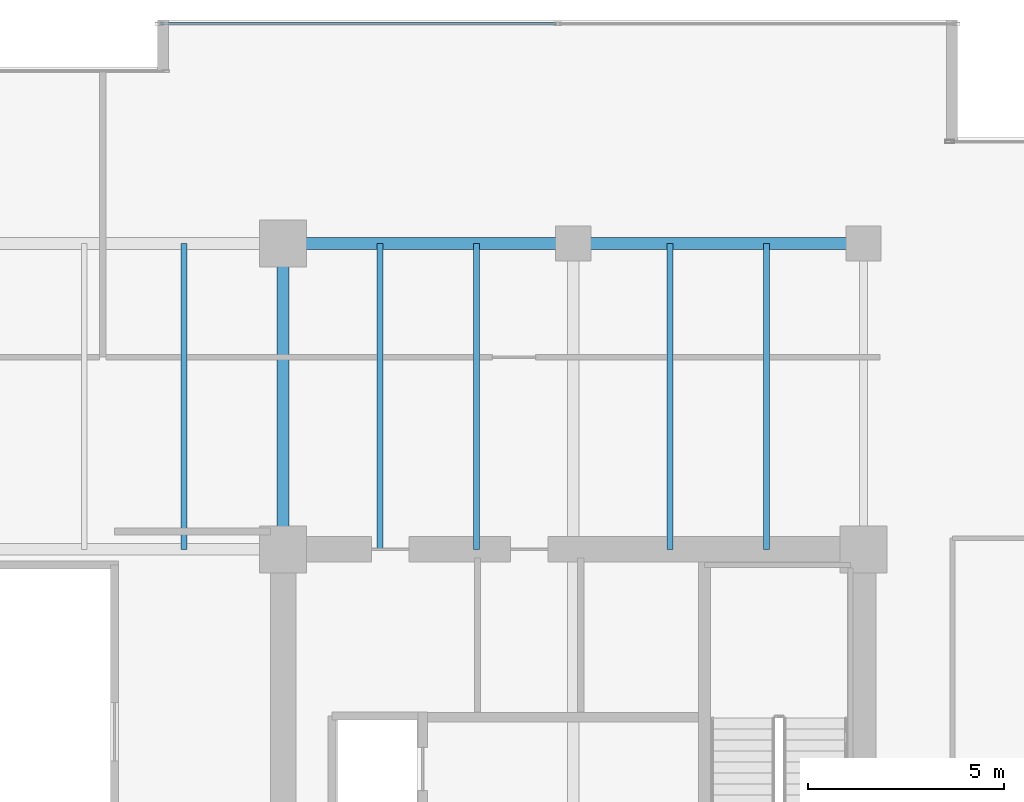
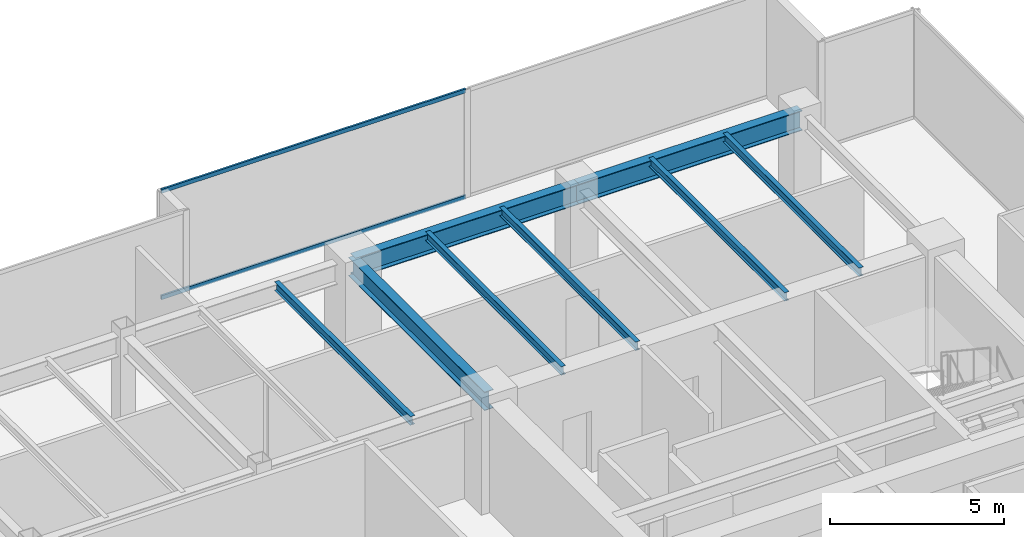
# One storey, part 19 of 30: 8 beams, 2 members, 1 element without a shape of its own.
"""IFC4 building model written with IfcOpenShell, lengths in metres."""

from ifc_helpers import new_model, si_unit, direction, frame, origin, origin_2d, place, context, subcontext, project, spatial, hollow_rectangle, i_section, extrude, source, transform, mapped, material, layer, layer_set, material_profile, profile_set, type_object, type_shapes, element, aggregate, save


model = new_model("IFC4")

# Units and contexts
model_context = context("Model", 3, precision=1e-05, world=origin(), true_north=direction((0.0, 1.0)))
body_context = subcontext(model_context, "Body", "Model", "MODEL_VIEW")
ifc_project = project(units=[si_unit("LENGTHUNIT", "METRE"), si_unit("AREAUNIT", "SQUARE_METRE"), si_unit("VOLUMEUNIT", "CUBIC_METRE"), si_unit("PLANEANGLEUNIT", "RADIAN"), si_unit("MASSUNIT", "GRAM", prefix="KILO")], contexts=[model_context])

# Site, building, storey
site_placement = place(None, origin())
site = spatial("IfcSite", under=ifc_project, at=site_placement, CompositionType="ELEMENT")
building_placement = place(site_placement, origin())
building = spatial("IfcBuilding", under=site, at=building_placement, Name="Haelvirn Gate Laboratories", CompositionType="ELEMENT")
storey_placement = place(building_placement, frame((0.0, 0.0, 125.60009765625)))
storey = spatial("IfcBuildingStorey", under=building, at=storey_placement, Name="L30", CompositionType="ELEMENT", Elevation=125.60009765625)

# Beams
ifc_material_1 = material(Name="Steel SM355", Category="steel")
ifc_material_profile_1 = material_profile(ifc_material_1, i_section(OverallWidth=0.300048828125, OverallDepth=0.64990234375, WebThickness=0.012939453125, FlangeThickness=0.02197265625, at=origin_2d()), Name="H-650x300x13x22")
ifc_profile_set_1 = profile_set([ifc_material_profile_1], Name="Steel SM355")
beam_type_1 = type_object("IfcBeamType", Name="BM-G-650", PredefinedType="BEAM", material=ifc_profile_set_1)
shared_shape_1 = source(origin(), body_context, "Body", "SweptSolid", [
    extrude(i_section(OverallWidth=0.300048828125, OverallDepth=0.64990234375, WebThickness=0.012939453125, FlangeThickness=0.02197265625, at=origin_2d()), origin(), (0.0, 0.0, 1.0), 7.800048828125),
])
type_shapes(beam_type_1, [shared_shape_1])
beam_placement = place(storey_placement, frame((52.60009765625, 33.800048828125, 3.46484375), z_axis=(0.0, 1.0, 0.0), x_axis=(-1.0, 0.0, 0.0)))
element("IfcBeam", 1, at=beam_placement, inside=storey, type_object=beam_type_1, Name="L30 Frame Girder X52.6 (33.8-41.6)", PredefinedType="BEAM", context=body_context, shape_type="MappedRepresentation", body=[
    mapped(shared_shape_1, transform((0.0, 0.0, 0.0), scale=1.0)),
])
ifc_material_profile_2 = material_profile(ifc_material_1, i_section(OverallWidth=0.300048828125, OverallDepth=0.699951171875, WebThickness=0.012939453125, FlangeThickness=0.02392578125, at=origin_2d()), Name="H-700x300x13x24")
ifc_profile_set_2 = profile_set([ifc_material_profile_2], Name="Steel SM355")
beam_type_2 = type_object("IfcBeamType", Name="BM-G-700", PredefinedType="BEAM", material=ifc_profile_set_2)
shared_shape_2 = source(origin(), body_context, "Body", "SweptSolid", [
    extrude(i_section(OverallWidth=0.300048828125, OverallDepth=0.699951171875, WebThickness=0.012939453125, FlangeThickness=0.02392578125, at=origin_2d()), origin(), (0.0, 0.0, 1.0), 7.39990234375),
])
type_shapes(beam_type_2, [shared_shape_2])
for number, where, z_axis, x_axis, name in (
    (2, (52.60009765625, 41.60009765625, 3.43994140625), (1.0, 0.0, 0.0), (0.0, 1.0, 0.0), "L30 Primary Girder Y41.6 (52.6-60.0)"),
    (3, (60.0, 41.60009765625, 3.43994140625), (1.0, 0.0, 0.0), (0.0, 1.0, 0.0), "L30 Primary Girder Y41.6 (60.0-67.4)"),
):
    element("IfcBeam", number, at=place(storey_placement, frame(where, z_axis=z_axis, x_axis=x_axis)), inside=storey, type_object=beam_type_2, Name=name, PredefinedType="BEAM", context=body_context, shape_type="MappedRepresentation", body=[
        mapped(shared_shape_2, transform((0.0, 0.0, 0.0), scale=1.0)),
    ])
ifc_material_profile_3 = material_profile(ifc_material_1, i_section(OverallWidth=0.14990234375, OverallDepth=0.300048828125, WebThickness=0.006591796875, FlangeThickness=0.009033203125, at=origin_2d()), Name="H-300x150x6.5x9")
ifc_profile_set_3 = profile_set([ifc_material_profile_3], Name="Steel SM355")
beam_type_3 = type_object("IfcBeamType", Name="BM-J-300", PredefinedType="JOIST", material=ifc_profile_set_3)
shared_shape_3 = source(origin(), body_context, "Body", "SweptSolid", [
    extrude(i_section(OverallWidth=0.14990234375, OverallDepth=0.300048828125, WebThickness=0.006591796875, FlangeThickness=0.009033203125, at=origin_2d()), origin(), (0.0, 0.0, 1.0), 7.800048828125),
])
type_shapes(beam_type_3, [shared_shape_3])
for number, where, z_axis, x_axis, name in (
    (4, (50.070068359375, 33.800048828125, 3.639892578125), (0.0, 1.0, 0.0), (-1.0, 0.0, 0.0), "L30 Composite Lab Joist North X50.07"),
    (5, (55.070068359375, 33.800048828125, 3.639892578125), (0.0, 1.0, 0.0), (-1.0, 0.0, 0.0), "L30 Composite Lab Joist North X55.07"),
    (6, (57.530029296875, 33.800048828125, 3.639892578125), (0.0, 1.0, 0.0), (-1.0, 0.0, 0.0), "L30 Composite Lab Joist North X57.53"),
    (7, (62.469970703125, 33.800048828125, 3.639892578125), (0.0, 1.0, 0.0), (-1.0, 0.0, 0.0), "L30 Composite Lab Joist North X62.47"),
    (8, (64.929931640625, 33.800048828125, 3.639892578125), (0.0, 1.0, 0.0), (-1.0, 0.0, 0.0), "L30 Composite Lab Joist North X64.93"),
):
    element("IfcBeam", number, at=place(storey_placement, frame(where, z_axis=z_axis, x_axis=x_axis)), inside=storey, type_object=beam_type_3, Name=name, PredefinedType="JOIST", context=body_context, shape_type="MappedRepresentation", body=[
        mapped(shared_shape_3, transform((0.0, 0.0, 0.0), scale=1.0)),
    ])

# Curtain wall, members
ifc_material_2 = material(Name="Anodised bronze unitised aluminium & triple low-E glass", Category="aluminium")
ifc_layer = layer(ifc_material_2, 0.179931640625, Name="CW-SYS-3")
ifc_layer_set = layer_set([ifc_layer], Name="Anodised bronze unitised aluminium & triple low-E glass")
curtain_wall_type = type_object("IfcCurtainWallType", Name="CW-SYS-3", PredefinedType="NOTDEFINED", material=ifc_layer_set)
curtain_wall_placement = place(storey_placement, origin())
curtain_wall = element("IfcCurtainWall", 9, at=curtain_wall_placement, inside=storey, type_object=curtain_wall_type, Name="L30 Unitised Curtain Wall CW-L30-P0-E10-1", PredefinedType="NOTDEFINED")
ifc_material_3 = material(Name="Extruded aluminium 6063-T6 (anodised bronze)", Category="aluminium")
ifc_material_profile_4 = material_profile(ifc_material_3, hollow_rectangle(XDim=0.06494140625, YDim=0.139892578125, WallThickness=0.00390625, at=origin_2d()), Name="CWT-140x65x4")
ifc_profile_set_4 = profile_set([ifc_material_profile_4], Name="Extruded aluminium 6063-T6 (anodised bronze)")
member_type = type_object("IfcMemberType", Name="CWT-T140", PredefinedType="USERDEFINED", material=ifc_profile_set_4)
shared_shape_4 = source(origin(), body_context, "Body", "SweptSolid", [
    extrude(hollow_rectangle(XDim=0.06494140625, YDim=0.139892578125, WallThickness=0.00390625, at=origin_2d()), origin(), (0.0, 0.0, 1.0), 10.08740234375),
])
type_shapes(member_type, [shared_shape_4])
member_1_placement = place(storey_placement, frame((49.47509765625, 47.199951171875, 0.032470703125), z_axis=(1.0, 0.0, 0.0), x_axis=(0.0, 1.0, 0.0)))
member_1 = element("IfcMember", 10, at=member_1_placement, type_object=member_type, Name="CW3 transom 1.1", ObjectType="TRANSOM", PredefinedType="USERDEFINED", context=body_context, shape_type="MappedRepresentation", body=[
    mapped(shared_shape_4, transform((0.0, 0.0, 0.0), scale=1.0)),
])
member_2_placement = place(storey_placement, frame((49.47509765625, 47.199951171875, 3.75732421875), z_axis=(1.0, 0.0, 0.0), x_axis=(0.0, 1.0, 0.0)))
member_2 = element("IfcMember", 11, at=member_2_placement, type_object=member_type, Name="CW3 transom 1.2", ObjectType="TRANSOM", PredefinedType="USERDEFINED", context=body_context, shape_type="MappedRepresentation", body=[
    mapped(shared_shape_4, transform((0.0, 0.0, 0.0), scale=1.0)),
])
aggregate(curtain_wall, [member_1, member_2])

save(model, "model.ifc")
